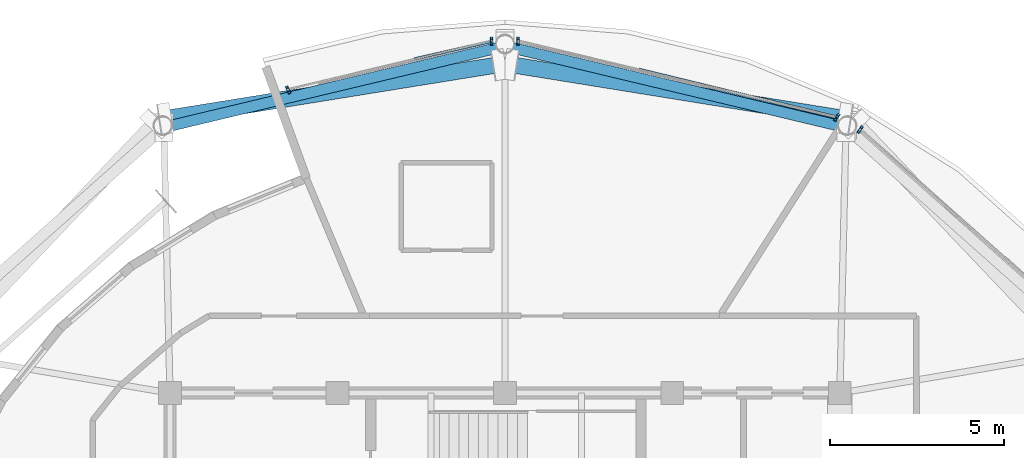
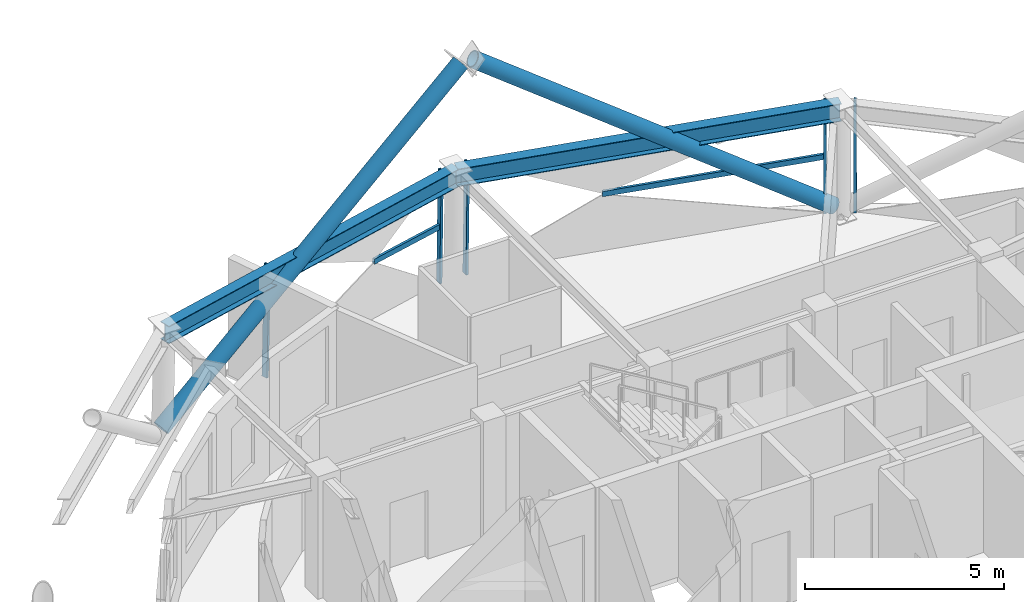
# One storey, part 5 of 15: 9 members, 2 beams, 3 elements without a shape of their own.
"""IFC4 building model written with IfcOpenShell, lengths in metres."""

from ifc_helpers import new_model, si_unit, direction, frame, origin, origin_2d, place, context, subcontext, project, spatial, hollow_rectangle, hollow_circle, i_section, extrude, material, layer, layer_set, material_profile, profile_set, type_object, element, aggregate, save


model = new_model("IFC4")

# Units and contexts
model_context = context("Model", 3, precision=1e-05, world=origin(), true_north=direction((0.0, 1.0)))
body_context = subcontext(model_context, "Body", "Model", "MODEL_VIEW")
ifc_project = project(units=[si_unit("LENGTHUNIT", "METRE"), si_unit("AREAUNIT", "SQUARE_METRE"), si_unit("VOLUMEUNIT", "CUBIC_METRE"), si_unit("PLANEANGLEUNIT", "RADIAN"), si_unit("MASSUNIT", "GRAM", prefix="KILO")], contexts=[model_context])

# Site, building, storey
site_placement = place(None, origin())
site = spatial("IfcSite", under=ifc_project, at=site_placement, CompositionType="ELEMENT")
building_placement = place(site_placement, origin())
building = spatial("IfcBuilding", under=site, at=building_placement, Name="Vantalir Tower", CompositionType="ELEMENT")
storey_placement = place(building_placement, frame((0.0, 0.0, 275.10009765625)))
storey = spatial("IfcBuildingStorey", under=building, at=storey_placement, Name="L69", CompositionType="ELEMENT", Elevation=275.10009765625)

# Beams
ifc_material_1 = material(Name="Steel S460", Category="steel")
ifc_material_profile_1 = material_profile(ifc_material_1, i_section(OverallWidth=0.31201171875, OverallDepth=0.5419921875, WebThickness=0.0126953125, FlangeThickness=0.020263671875, at=origin_2d()), Name="Steel S460")
ifc_profile_set_1 = profile_set([ifc_material_profile_1], Name="Steel S460")
beam_type = type_object("IfcBeamType", Name="BM-RG-533x312", PredefinedType="USERDEFINED", material=ifc_profile_set_1)
for number, where, z_axis, x_axis, name in (
    (1, (41.27490234375, 40.06494140625, 3.298828125), (-0.972723257423, 0.231968671309, 0.0), (-0.231968671309, -0.972723257423, 0.0), "L69 Circumferential Ring Girder 03"),
    (2, (31.5, 42.39599609375, 3.298828125), (-0.972723257423, -0.231968671309, 0.0), (0.231968671309, -0.972723257423, 0.0), "L69 Circumferential Ring Girder 04"),
):
    element("IfcBeam", number, at=place(storey_placement, frame(where, z_axis=z_axis, x_axis=x_axis)), inside=storey, type_object=beam_type, Name=name, ObjectType="GIRDER", PredefinedType="USERDEFINED", context=body_context, shape_type="SweptSolid", body=[
        extrude(i_section(OverallWidth=0.31201171875, OverallDepth=0.5419921875, WebThickness=0.0126953125, FlangeThickness=0.020263671875, at=origin_2d()), origin(), (0.0, 0.0, 1.0), 10.049072265625),
    ])

# Curtain wall, member
ifc_material_2 = material(Name="Champagne-silver PVDF aluminium and double-silver Low-E glass", Category="aluminium")
ifc_layer = layer(ifc_material_2, 0.219970703125)
ifc_layer_set = layer_set([ifc_layer], Name="Champagne-silver PVDF aluminium and double-silver Low-E glass")
curtain_wall_type = type_object("IfcCurtainWallType", Name="CW-DIAMOND-Z4", PredefinedType="USERDEFINED", material=ifc_layer_set)
curtain_wall_1_placement = place(storey_placement, origin())
curtain_wall_1 = element("IfcCurtainWall", 3, at=curtain_wall_1_placement, inside=storey, type_object=curtain_wall_type, Name="L69 Quilted Pyramid-Diamond Curtain Wall S02", ObjectType="UNITISED CURTAIN WALL", PredefinedType="USERDEFINED")
ifc_material_3 = material(Name="Champagne-silver PVDF aluminium 6063-T6", Category="aluminium")
ifc_material_profile_2 = material_profile(ifc_material_3, hollow_rectangle(XDim=0.070068359375, YDim=0.1650390625, WallThickness=0.00390625, at=origin_2d()), Name="Champagne-silver PVDF aluminium 6063-T6")
ifc_profile_set_2 = profile_set([ifc_material_profile_2], Name="Champagne-silver PVDF aluminium 6063-T6")
member_type_1 = type_object("IfcMemberType", Name="CWM-165x70", PredefinedType="MULLION", material=ifc_profile_set_2)
member_1_placement = place(storey_placement, frame((41.700927734375, 40.032958984375, 0.044921875), z_axis=(-0.011502954924, -0.017815552138, 0.999775118779), x_axis=(0.840102178973, -0.54242817855, 0.0)))
member_1 = element("IfcMember", 4, at=member_1_placement, type_object=member_type_1, Name="CW-L69-S02 Mullion 2", PredefinedType="MULLION", context=body_context, shape_type="SweptSolid", body=[
    extrude(hollow_rectangle(XDim=0.070068359375, YDim=0.1650390625, WallThickness=0.00390625, at=origin_2d()), origin(), (0.0, 0.0, 1.0), 3.480712890625),
])
aggregate(curtain_wall_1, [member_1])

# Curtain wall, members
curtain_wall_2_placement = place(storey_placement, origin())
curtain_wall_2 = element("IfcCurtainWall", 5, at=curtain_wall_2_placement, inside=storey, type_object=curtain_wall_type, Name="L69 Quilted Pyramid-Diamond Curtain Wall S03", ObjectType="UNITISED CURTAIN WALL", PredefinedType="USERDEFINED")
member_2_placement = place(storey_placement, frame((41.031005859375, 40.383056640625, 0.044921875), z_axis=(-0.011502954924, -0.017815552138, 0.999775118779), x_axis=(0.840102178973, -0.54242817855, 0.0)))
member_2 = element("IfcMember", 6, at=member_2_placement, type_object=member_type_1, Name="CW-L69-S03 Mullion 1", PredefinedType="MULLION", context=body_context, shape_type="SweptSolid", body=[
    extrude(hollow_rectangle(XDim=0.070068359375, YDim=0.1650390625, WallThickness=0.00390625, at=origin_2d()), origin(), (0.0, 0.0, 1.0), 3.480712890625),
])
member_3_placement = place(storey_placement, frame((31.87890625, 42.56689453125, 0.044921875), z_axis=(0.0, -0.020621403307, 0.999787356254), x_axis=(1.0, 0.0, 0.0)))
member_3 = element("IfcMember", 7, at=member_3_placement, type_object=member_type_1, Name="CW-L69-S03 Mullion 2", PredefinedType="MULLION", context=body_context, shape_type="SweptSolid", body=[
    extrude(hollow_rectangle(XDim=0.070068359375, YDim=0.1650390625, WallThickness=0.00390625, at=origin_2d()), origin(), (0.0, 0.0, 1.0), 3.480712890625),
])

curtain_wall_3_placement = place(storey_placement, origin())
curtain_wall_3 = element("IfcCurtainWall", 8, at=curtain_wall_3_placement, inside=storey, type_object=curtain_wall_type, Name="L69 Quilted Pyramid-Diamond Curtain Wall S04", ObjectType="UNITISED CURTAIN WALL", PredefinedType="USERDEFINED")
member_4_placement = place(storey_placement, frame((31.12109375, 42.56689453125, 0.044921875), z_axis=(0.0, -0.020621403307, 0.999787356254), x_axis=(1.0, 0.0, 0.0)))
member_4 = element("IfcMember", 9, at=member_4_placement, type_object=member_type_1, Name="CW-L69-S04 Mullion 1", PredefinedType="MULLION", context=body_context, shape_type="SweptSolid", body=[
    extrude(hollow_rectangle(XDim=0.070068359375, YDim=0.1650390625, WallThickness=0.00390625, at=origin_2d()), origin(), (0.0, 0.0, 1.0), 3.480712890625),
])
member_5_placement = place(storey_placement, frame((25.27294921875, 41.1708984375, 0.044921875), z_axis=(0.007505146662, -0.018657654319, 0.999797761904), x_axis=(0.927753325619, 0.373194006922, 0.0)))
member_5 = element("IfcMember", 10, at=member_5_placement, type_object=member_type_1, Name="CW-L69-S04 Mullion 2", PredefinedType="MULLION", context=body_context, shape_type="SweptSolid", body=[
    extrude(hollow_rectangle(XDim=0.070068359375, YDim=0.1650390625, WallThickness=0.00390625, at=origin_2d()), origin(), (0.0, 0.0, 1.0), 3.480712890625),
])

# Member
ifc_material_profile_3 = material_profile(ifc_material_3, hollow_rectangle(XDim=0.074951171875, YDim=0.159912109375, WallThickness=0.00390625, at=origin_2d()), Name="Champagne-silver PVDF aluminium 6063-T6")
ifc_profile_set_3 = profile_set([ifc_material_profile_3], Name="Champagne-silver PVDF aluminium 6063-T6")
member_type_2 = type_object("IfcMemberType", Name="CWT-160x75", PredefinedType="USERDEFINED", material=ifc_profile_set_3)
member_6_placement = place(storey_placement, frame((41.010986328125, 40.35205078125, 1.784912109375), z_axis=(-0.971737073931, 0.236065794107, 0.0), x_axis=(-0.236065794107, -0.971737073931, 0.0)))
member_6 = element("IfcMember", 11, at=member_6_placement, type_object=member_type_2, Name="CW-L69-S03 Pyramid Fold Ridge Transom", ObjectType="TRANSOM", PredefinedType="USERDEFINED", context=body_context, shape_type="SweptSolid", body=[
    extrude(hollow_rectangle(XDim=0.074951171875, YDim=0.159912109375, WallThickness=0.00390625, at=origin_2d()), origin(), (0.0, 0.0, 1.0), 5.820556640625),
])

aggregate(curtain_wall_2, [member_2, member_3, member_6])

member_7_placement = place(storey_placement, frame((31.12109375, 42.531005859375, 1.784912109375), z_axis=(-0.975103368013, -0.221750809894, 0.0), x_axis=(0.221750809894, -0.975103368013, 0.0)))
member_7 = element("IfcMember", 12, at=member_7_placement, type_object=member_type_2, Name="CW-L69-S04 Pyramid Fold Ridge Transom", ObjectType="TRANSOM", PredefinedType="USERDEFINED", context=body_context, shape_type="SweptSolid", body=[
    extrude(hollow_rectangle(XDim=0.074951171875, YDim=0.159912109375, WallThickness=0.00390625, at=origin_2d()), origin(), (0.0, 0.0, 1.0), 2.27783203125),
])

aggregate(curtain_wall_3, [member_4, member_5, member_7])

# Members
ifc_material_profile_4 = material_profile(ifc_material_1, hollow_circle(Radius=0.22998046875, WallThickness=0.028076171875, at=origin_2d()), Name="Steel S460")
ifc_profile_set_4 = profile_set([ifc_material_profile_4], Name="Steel S460")
member_type_3 = type_object("IfcMemberType", Name="MEM-DB-460x28", PredefinedType="BRACE", material=ifc_profile_set_4)
for number, where, z_axis, x_axis, name in (
    (13, (41.23291015625, 40.321044921875, 0.2080078125), (-0.80375661827, 0.129534164892, 0.580685972547), (-0.159107933192, -0.987261194211, 0.0), "L69 Perimeter S460 Diagrid Brace R07L"),
    (14, (21.76708984375, 40.321044921875, 0.2080078125), (0.80375661827, 0.129534164892, 0.580685972547), (-0.159107933192, 0.987261194211, 0.0), "L69 Perimeter S460 Diagrid Brace R13R"),
):
    element("IfcMember", number, at=place(storey_placement, frame(where, z_axis=z_axis, x_axis=x_axis)), inside=storey, type_object=member_type_3, Name=name, PredefinedType="BRACE", context=body_context, shape_type="SweptSolid", body=[
        extrude(hollow_circle(Radius=0.22998046875, WallThickness=0.028076171875, at=origin_2d()), origin(), (0.0, 0.0, 1.0), 11.88916015625),
    ])

save(model, "model.ifc")
